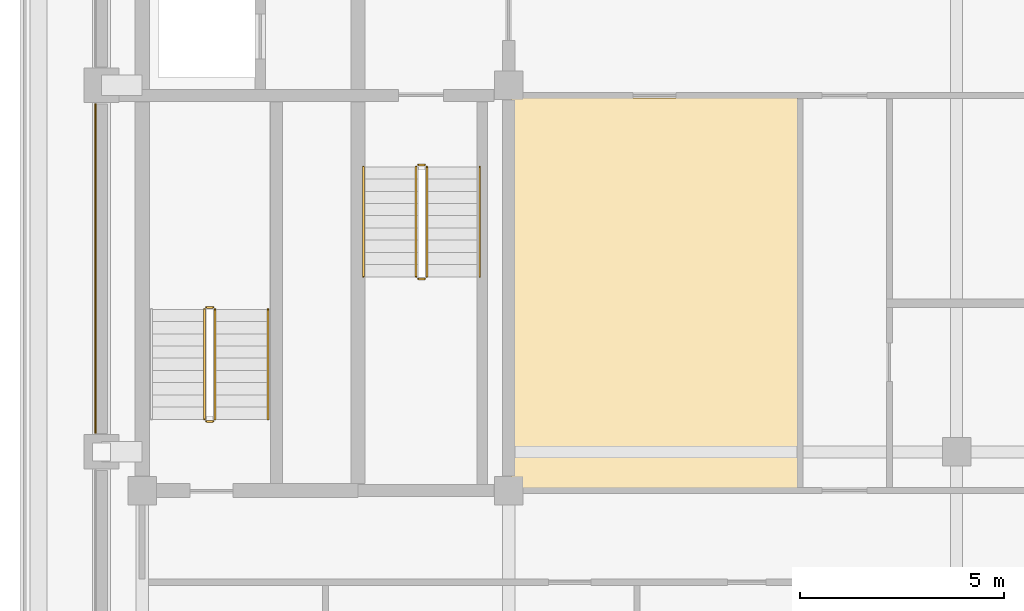
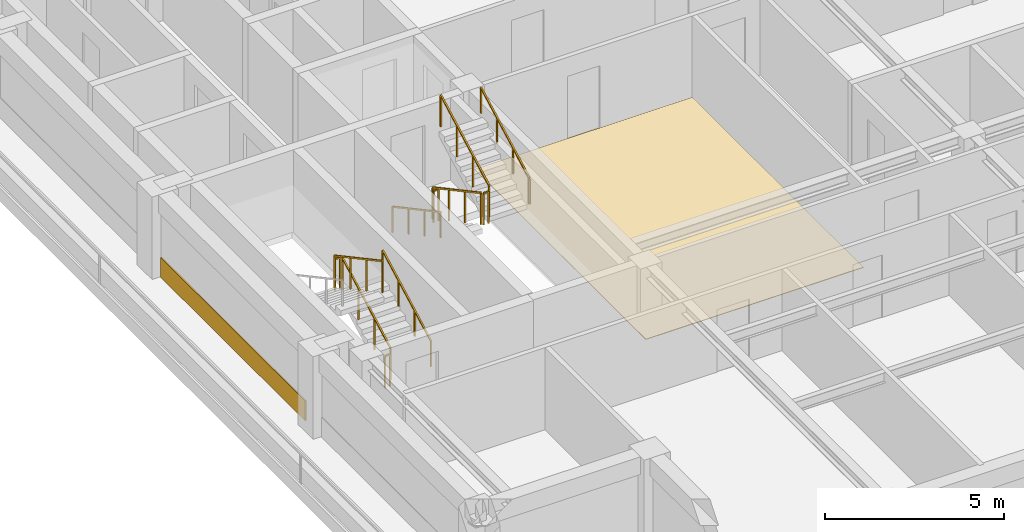
# One storey, part 7 of 10: 11 railings, 2 coverings.
"""IFC4 building model written with IfcOpenShell, lengths in metres."""

from ifc_helpers import new_model, si_unit, direction, frame, frame_2d, origin, origin_2d, place, context, subcontext, project, spatial, polyline, rectangle, outline, extrude, material, layer, layer_set, type_object, element, save


model = new_model("IFC4")

# Units and contexts
model_context = context("Model", 3, precision=1e-05, world=origin(), true_north=direction((0.0, 1.0)))
body_context = subcontext(model_context, "Body", "Model", "MODEL_VIEW")
ifc_project = project(units=[si_unit("LENGTHUNIT", "METRE"), si_unit("AREAUNIT", "SQUARE_METRE"), si_unit("VOLUMEUNIT", "CUBIC_METRE"), si_unit("PLANEANGLEUNIT", "RADIAN"), si_unit("MASSUNIT", "GRAM", prefix="KILO")], contexts=[model_context])

# Site, building, storey
site_placement = place(None, origin())
site = spatial("IfcSite", under=ifc_project, at=site_placement, CompositionType="ELEMENT")
building_placement = place(site_placement, origin())
building = spatial("IfcBuilding", under=site, at=building_placement, Name="Zulmaris Gate Convention Tower", CompositionType="ELEMENT")
storey_placement = place(building_placement, frame((0.0, 0.0, 246.199951171875)))
storey = spatial("IfcBuildingStorey", under=building, at=storey_placement, Name="L65", CompositionType="ELEMENT", Elevation=246.199951171875)

# Coverings
ifc_material_1 = material(Name="Precast concrete C40/50", Category="concrete")
ifc_layer_1 = layer(ifc_material_1, 0.0400390625, Name="Precast concrete C40/50")
ifc_layer_set_1 = layer_set([ifc_layer_1], Name="Precast concrete C40/50")
covering_type_1 = type_object("IfcCoveringType", Name="CLAD-SPANDREL-PRECAST", PredefinedType="CLADDING", material=ifc_layer_set_1)
covering_1_placement = place(storey_placement, frame((-21.14990234375, -0.455078125, 0.0), z_axis=(0.0, 0.0, 1.0), x_axis=(0.0, -1.0, 0.0)))
element("IfcCovering", 1, at=covering_1_placement, inside=storey, type_object=covering_type_1, Name="CLD-L65-W-1_0", PredefinedType="CLADDING", context=body_context, shape_type="SweptSolid", body=[
    extrude(rectangle(XDim=8.08984375, YDim=0.0400390625, at=frame_2d((4.044921875, 0.0))), origin(), (0.0, 0.0, 1.0), 0.679931640625),
])
ifc_material_2 = material(Name="Woven Acoustic Wool Carpet Tile")
ifc_layer_2 = layer(ifc_material_2, 0.02001953125, Name="Woven Acoustic Wool Carpet Tile")
ifc_layer_set_2 = layer_set([ifc_layer_2], Name="Woven Acoustic Wool Carpet Tile")
covering_type_2 = type_object("IfcCoveringType", Name="FLR-CARPET-12", PredefinedType="FLOORING", material=ifc_layer_set_2)
covering_2_placement = place(storey_placement, origin())
element("IfcCovering", 2, at=covering_2_placement, inside=storey, type_object=covering_type_2, Name="FLR-L65-R47", PredefinedType="FLOORING", context=body_context, shape_type="SweptSolid", body=[
    extrude(outline(polyline([(-10.93994140625, -9.889892578125), (-3.909912109375, -9.889892578125), (-3.909912109375, -0.31005859375), (-10.93994140625, -0.31005859375), (-10.93994140625, -9.889892578125)])), origin(), (0.0, 0.0, 1.0), 0.02001953125),
])

# Railings
ifc_material_3 = material(Name="Painted Galvanised Steel", Category="steel")
railing_type_1 = type_object("IfcRailingType", Name="RL-STG-1150", PredefinedType="GUARDRAIL", material=ifc_material_3)
railing_1_placement = place(storey_placement, frame((-13.27001953125, -2.0, 0.16162109375)))
element("IfcRailing", 3, at=railing_1_placement, inside=storey, type_object=railing_type_1, Name="L65 ST-1 stair guard 1", PredefinedType="GUARDRAIL", context=body_context, shape_type="SweptSolid", body=[
    extrude(rectangle(XDim=0.048095703125, YDim=0.048095703125, at=origin_2d()), frame((0.0, 0.0, 1.076171875), z_axis=(0.0, -0.880532452117, 0.47398586558), x_axis=(1.0, 0.0, 0.0)), (0.0, 0.0, 1.0), 3.066162109375),
    extrude(rectangle(XDim=0.0419921875, YDim=0.0419921875, at=origin_2d()), origin(), (0.0, 0.0, 1.0), 1.052001953125),
    extrude(rectangle(XDim=0.0419921875, YDim=0.0419921875, at=origin_2d()), frame((0.0, -0.89990234375, 0.484375)), (0.0, 0.0, 1.0), 1.052001953125),
    extrude(rectangle(XDim=0.0419921875, YDim=0.0419921875, at=origin_2d()), frame((0.0, -1.800048828125, 0.968994140625)), (0.0, 0.0, 1.0), 1.052001953125),
    extrude(rectangle(XDim=0.0419921875, YDim=0.0419921875, at=origin_2d()), frame((0.0, -2.699951171875, 1.453369140625)), (0.0, 0.0, 1.0), 1.052001953125),
])
railing_2_placement = place(storey_placement, frame((-13.219970703125, -4.75, 1.614990234375)))
element("IfcRailing", 4, at=railing_2_placement, inside=storey, type_object=railing_type_1, Name="L65 ST-1 stair guard 2", PredefinedType="GUARDRAIL", context=body_context, shape_type="SweptSolid", body=[
    extrude(rectangle(XDim=0.048095703125, YDim=0.048095703125, at=origin_2d()), frame((0.0, 0.0, 1.076171875), z_axis=(1.0, 0.0, 0.0), x_axis=(0.0, 1.0, 0.0)), (0.0, 0.0, 1.0), 0.159912109375),
    extrude(rectangle(XDim=0.0419921875, YDim=0.0419921875, at=origin_2d()), origin(), (0.0, 0.0, 1.0), 1.052001953125),
    extrude(rectangle(XDim=0.0419921875, YDim=0.0419921875, at=origin_2d()), frame((0.159912109375, 0.0, 0.0)), (0.0, 0.0, 1.0), 1.052001953125),
])
railing_3_placement = place(storey_placement, frame((-13.010009765625, -4.699951171875, 1.776611328125)))
element("IfcRailing", 5, at=railing_3_placement, inside=storey, type_object=railing_type_1, Name="L65 ST-1 stair guard 3", PredefinedType="GUARDRAIL", context=body_context, shape_type="SweptSolid", body=[
    extrude(rectangle(XDim=0.048095703125, YDim=0.048095703125, at=origin_2d()), frame((0.0, 0.0, 1.076171875), z_axis=(0.0, 0.880532452117, 0.47398586558), x_axis=(-1.0, 0.0, 0.0)), (0.0, 0.0, 1.0), 3.066162109375),
    extrude(rectangle(XDim=0.0419921875, YDim=0.0419921875, at=origin_2d()), origin(), (0.0, 0.0, 1.0), 1.052001953125),
    extrude(rectangle(XDim=0.0419921875, YDim=0.0419921875, at=origin_2d()), frame((0.0, 0.89990234375, 0.484375)), (0.0, 0.0, 1.0), 1.052001953125),
    extrude(rectangle(XDim=0.0419921875, YDim=0.0419921875, at=origin_2d()), frame((0.0, 1.800048828125, 0.968994140625)), (0.0, 0.0, 1.0), 1.052001953125),
    extrude(rectangle(XDim=0.0419921875, YDim=0.0419921875, at=origin_2d()), frame((0.0, 2.699951171875, 1.453369140625)), (0.0, 0.0, 1.0), 1.052001953125),
])
railing_4_placement = place(storey_placement, frame((-13.219970703125, -1.949951171875, 0.0)))
element("IfcRailing", 6, at=railing_4_placement, inside=storey, type_object=railing_type_1, Name="L65 ST-1 stair guard 4", PredefinedType="GUARDRAIL", context=body_context, shape_type="SweptSolid", body=[
    extrude(rectangle(XDim=0.048095703125, YDim=0.048095703125, at=origin_2d()), frame((0.0, 0.0, 1.076171875), z_axis=(1.0, 0.0, 0.0), x_axis=(0.0, 1.0, 0.0)), (0.0, 0.0, 1.0), 0.159912109375),
    extrude(rectangle(XDim=0.0419921875, YDim=0.0419921875, at=origin_2d()), origin(), (0.0, 0.0, 1.0), 1.052001953125),
    extrude(rectangle(XDim=0.0419921875, YDim=0.0419921875, at=origin_2d()), frame((0.159912109375, 0.0, 0.0)), (0.0, 0.0, 1.0), 1.052001953125),
])
railing_5_placement = place(storey_placement, frame((-18.2099609375, -8.199951171875, 0.16162109375)))
element("IfcRailing", 7, at=railing_5_placement, inside=storey, type_object=railing_type_1, Name="L65 ST-3 stair guard 1", PredefinedType="GUARDRAIL", context=body_context, shape_type="SweptSolid", body=[
    extrude(rectangle(XDim=0.048095703125, YDim=0.048095703125, at=origin_2d()), frame((0.0, 0.0, 1.076171875), z_axis=(0.0, 0.880532452117, 0.47398586558), x_axis=(-1.0, 0.0, 0.0)), (0.0, 0.0, 1.0), 3.066162109375),
    extrude(rectangle(XDim=0.0419921875, YDim=0.0419921875, at=origin_2d()), origin(), (0.0, 0.0, 1.0), 1.052001953125),
    extrude(rectangle(XDim=0.0419921875, YDim=0.0419921875, at=origin_2d()), frame((0.0, 0.89990234375, 0.484375)), (0.0, 0.0, 1.0), 1.052001953125),
    extrude(rectangle(XDim=0.0419921875, YDim=0.0419921875, at=origin_2d()), frame((0.0, 1.800048828125, 0.968994140625)), (0.0, 0.0, 1.0), 1.052001953125),
    extrude(rectangle(XDim=0.0419921875, YDim=0.0419921875, at=origin_2d()), frame((0.0, 2.699951171875, 1.453369140625)), (0.0, 0.0, 1.0), 1.052001953125),
])
railing_6_placement = place(storey_placement, frame((-18.260009765625, -5.449951171875, 1.614990234375)))
element("IfcRailing", 8, at=railing_6_placement, inside=storey, type_object=railing_type_1, Name="L65 ST-3 stair guard 2", PredefinedType="GUARDRAIL", context=body_context, shape_type="SweptSolid", body=[
    extrude(rectangle(XDim=0.048095703125, YDim=0.048095703125, at=origin_2d()), frame((0.0, 0.0, 1.076171875), z_axis=(-1.0, 0.0, 0.0), x_axis=(0.0, -1.0, 0.0)), (0.0, 0.0, 1.0), 0.159912109375),
    extrude(rectangle(XDim=0.0419921875, YDim=0.0419921875, at=origin_2d()), origin(), (0.0, 0.0, 1.0), 1.052001953125),
    extrude(rectangle(XDim=0.0419921875, YDim=0.0419921875, at=origin_2d()), frame((-0.159912109375, 0.0, 0.0)), (0.0, 0.0, 1.0), 1.052001953125),
])
railing_7_placement = place(storey_placement, frame((-18.469970703125, -5.5, 1.776611328125)))
element("IfcRailing", 9, at=railing_7_placement, inside=storey, type_object=railing_type_1, Name="L65 ST-3 stair guard 3", PredefinedType="GUARDRAIL", context=body_context, shape_type="SweptSolid", body=[
    extrude(rectangle(XDim=0.048095703125, YDim=0.048095703125, at=origin_2d()), frame((0.0, 0.0, 1.076171875), z_axis=(0.0, -0.880532452117, 0.47398586558), x_axis=(1.0, 0.0, 0.0)), (0.0, 0.0, 1.0), 3.066162109375),
    extrude(rectangle(XDim=0.0419921875, YDim=0.0419921875, at=origin_2d()), origin(), (0.0, 0.0, 1.0), 1.052001953125),
    extrude(rectangle(XDim=0.0419921875, YDim=0.0419921875, at=origin_2d()), frame((0.0, -0.89990234375, 0.484375)), (0.0, 0.0, 1.0), 1.052001953125),
    extrude(rectangle(XDim=0.0419921875, YDim=0.0419921875, at=origin_2d()), frame((0.0, -1.800048828125, 0.968994140625)), (0.0, 0.0, 1.0), 1.052001953125),
    extrude(rectangle(XDim=0.0419921875, YDim=0.0419921875, at=origin_2d()), frame((0.0, -2.699951171875, 1.453369140625)), (0.0, 0.0, 1.0), 1.052001953125),
])
railing_8_placement = place(storey_placement, frame((-18.260009765625, -8.25, 0.0)))
element("IfcRailing", 10, at=railing_8_placement, inside=storey, type_object=railing_type_1, Name="L65 ST-3 stair guard 4", PredefinedType="GUARDRAIL", context=body_context, shape_type="SweptSolid", body=[
    extrude(rectangle(XDim=0.048095703125, YDim=0.048095703125, at=origin_2d()), frame((0.0, 0.0, 1.076171875), z_axis=(-1.0, 0.0, 0.0), x_axis=(0.0, -1.0, 0.0)), (0.0, 0.0, 1.0), 0.159912109375),
    extrude(rectangle(XDim=0.0419921875, YDim=0.0419921875, at=origin_2d()), origin(), (0.0, 0.0, 1.0), 1.052001953125),
    extrude(rectangle(XDim=0.0419921875, YDim=0.0419921875, at=origin_2d()), frame((-0.159912109375, 0.0, 0.0)), (0.0, 0.0, 1.0), 1.052001953125),
])
ifc_material_4 = material(Name="Brushed Stainless Steel", Category="steel")
railing_type_2 = type_object("IfcRailingType", Name="RL-STH-900", PredefinedType="HANDRAIL", material=ifc_material_4)
railing_9_placement = place(storey_placement, frame((-14.570068359375, -2.0, 0.16162109375)))
element("IfcRailing", 11, at=railing_9_placement, inside=storey, type_object=railing_type_2, Name="L65 ST-1 stair handrail 1", PredefinedType="HANDRAIL", context=body_context, shape_type="SweptSolid", body=[
    extrude(rectangle(XDim=0.048095703125, YDim=0.048095703125, at=origin_2d()), frame((0.0, 0.0, 0.8759765625), z_axis=(0.0, -0.880532452117, 0.47398586558), x_axis=(1.0, 0.0, 0.0)), (0.0, 0.0, 1.0), 3.066162109375),
    extrude(rectangle(XDim=0.0419921875, YDim=0.0419921875, at=origin_2d()), origin(), (0.0, 0.0, 1.0), 0.851806640625),
    extrude(rectangle(XDim=0.0419921875, YDim=0.0419921875, at=origin_2d()), frame((0.0, -0.89990234375, 0.484375)), (0.0, 0.0, 1.0), 0.851806640625),
    extrude(rectangle(XDim=0.0419921875, YDim=0.0419921875, at=origin_2d()), frame((0.0, -1.800048828125, 0.968994140625)), (0.0, 0.0, 1.0), 0.851806640625),
    extrude(rectangle(XDim=0.0419921875, YDim=0.0419921875, at=origin_2d()), frame((0.0, -2.699951171875, 1.453369140625)), (0.0, 0.0, 1.0), 0.851806640625),
])
for number, where, name in (
    (12, (-11.7099609375, -4.699951171875, 1.776611328125), "L65 ST-1 stair handrail 2"),
    (13, (-16.909912109375, -8.199951171875, 0.16162109375), "L65 ST-3 stair handrail 1"),
):
    element("IfcRailing", number, at=place(storey_placement, frame(where)), inside=storey, type_object=railing_type_2, Name=name, PredefinedType="HANDRAIL", context=body_context, shape_type="SweptSolid", body=[
        extrude(rectangle(XDim=0.048095703125, YDim=0.048095703125, at=origin_2d()), frame((0.0, 0.0, 0.8759765625), z_axis=(0.0, 0.880532452117, 0.47398586558), x_axis=(-1.0, 0.0, 0.0)), (0.0, 0.0, 1.0), 3.066162109375),
        extrude(rectangle(XDim=0.0419921875, YDim=0.0419921875, at=origin_2d()), origin(), (0.0, 0.0, 1.0), 0.851806640625),
        extrude(rectangle(XDim=0.0419921875, YDim=0.0419921875, at=origin_2d()), frame((0.0, 0.89990234375, 0.484375)), (0.0, 0.0, 1.0), 0.851806640625),
        extrude(rectangle(XDim=0.0419921875, YDim=0.0419921875, at=origin_2d()), frame((0.0, 1.800048828125, 0.968994140625)), (0.0, 0.0, 1.0), 0.851806640625),
        extrude(rectangle(XDim=0.0419921875, YDim=0.0419921875, at=origin_2d()), frame((0.0, 2.699951171875, 1.453369140625)), (0.0, 0.0, 1.0), 0.851806640625),
    ])

save(model, "model.ifc")
